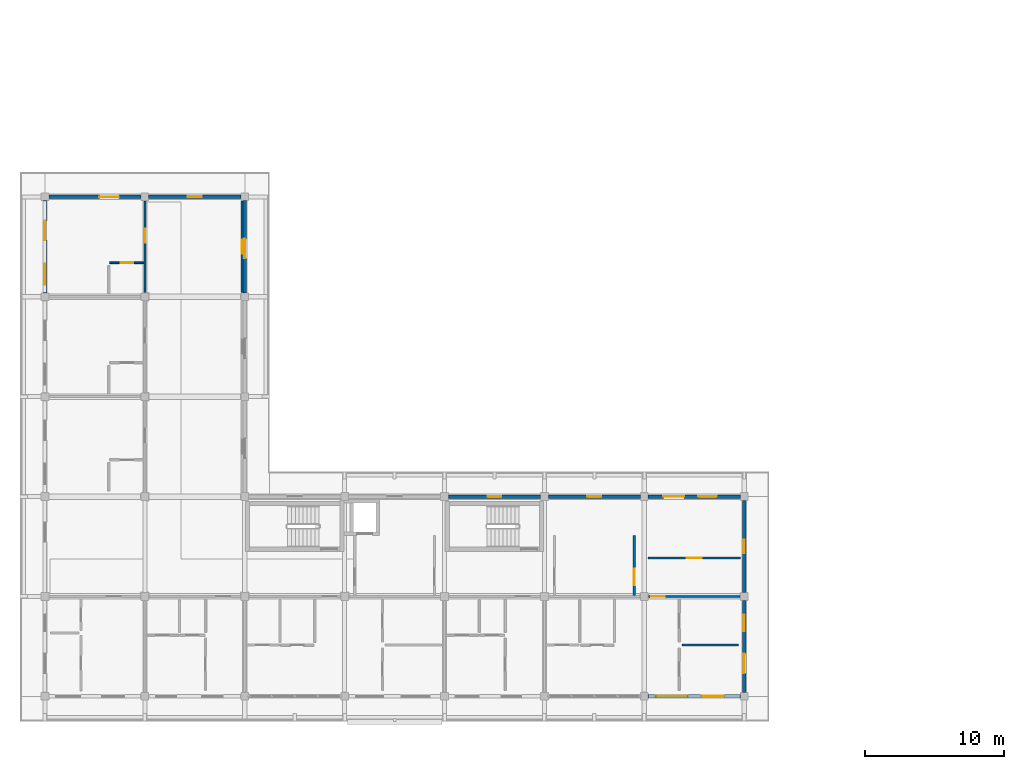
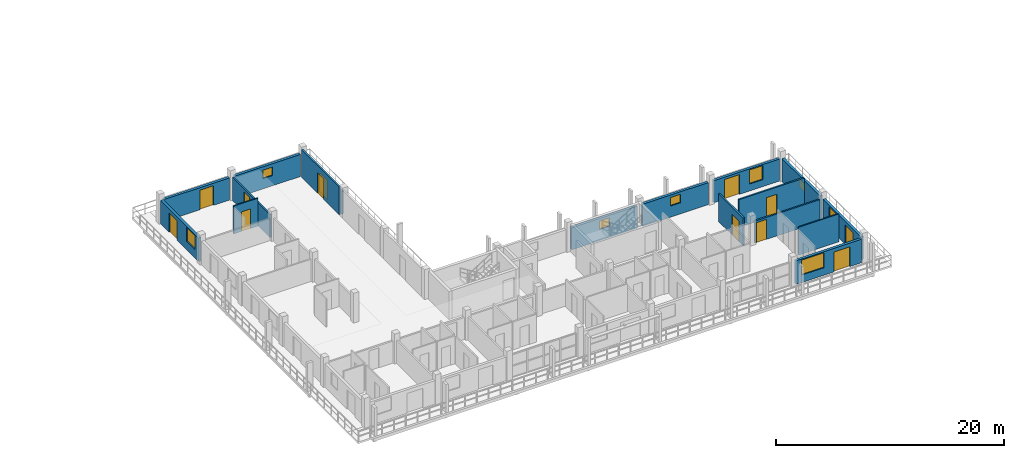
# One storey, part 37 of 73: 17 walls, 12 doors, 8 windows, 20 openings.
"""IFC4 building model written with IfcOpenShell, lengths in metres."""

from ifc_helpers import new_model, si_unit, direction, frame, frame_2d, origin, place, context, subcontext, project, spatial, rectangle, extrude, material, layer, layer_set, type_object, element, fill, save


model = new_model("IFC4")

# Units and contexts
model_context = context("Model", 3, precision=1e-05, world=origin(), true_north=direction((0.0, 1.0)))
body_context = subcontext(model_context, "Body", "Model", "MODEL_VIEW")
ifc_project = project(units=[si_unit("LENGTHUNIT", "METRE"), si_unit("AREAUNIT", "SQUARE_METRE"), si_unit("VOLUMEUNIT", "CUBIC_METRE"), si_unit("PLANEANGLEUNIT", "RADIAN"), si_unit("MASSUNIT", "GRAM", prefix="KILO")], contexts=[model_context])

# Site, building, storey
site_placement = place(None, origin())
site = spatial("IfcSite", under=ifc_project, at=site_placement, CompositionType="ELEMENT")
building_placement = place(site_placement, origin())
building = spatial("IfcBuilding", under=site, at=building_placement, Name="Suanplinth Sawtooth Commons", CompositionType="ELEMENT")
storey_placement = place(building_placement, frame((0.0, 0.0, 21.89990234375)))
storey = spatial("IfcBuildingStorey", under=building, at=storey_placement, Name="L06", CompositionType="ELEMENT", Elevation=21.89990234375)

# Wall, opening, door
ifc_material_1 = material(Name="Precast concrete C40/50", Category="concrete")
ifc_layer_1 = layer(ifc_material_1, 0.260009765625, Name="Insulated precast courtyard facade wall 260mm")
ifc_layer_set_1 = layer_set([ifc_layer_1], Name="Precast concrete C40/50")
wall_type_1 = type_object("IfcWallType", Name="W-EX02", PredefinedType="ELEMENTEDWALL", material=ifc_layer_set_1)
wall_1_placement = place(storey_placement, frame((0.27490234375, 36.0, 0.0), z_axis=(0.0, 0.0, 1.0), x_axis=(1.0, 0.0, 0.0)))
wall_1 = element("IfcWall", 1, at=wall_1_placement, inside=storey, type_object=wall_type_1, Name="Facade Wall W-L06-D-N-0-4", PredefinedType="ELEMENTEDWALL", context=body_context, shape_type="SweptSolid", body=[
    extrude(rectangle(XDim=6.650146484375, YDim=0.260009765625, at=frame_2d((3.3251953125, 0.0))), origin(), (0.0, 0.0, 1.0), 2.364990234375),
])
opening_1_placement = place(wall_1_placement, frame((3.64990234375, 0.0, 0.0)))
opening_1 = element("IfcOpeningElement", 2, at=opening_1_placement, cuts=wall_1, Name="Opening ED0540", PredefinedType="OPENING", context=body_context, shape_type="SweptSolid", body=[
    extrude(rectangle(XDim=1.39990234375, YDim=2.10009765625, at=frame_2d((0.699951171875, 1.050048828125))), frame((0.0, 0.14501953125, 0.0), z_axis=(0.0, -1.0, 0.0), x_axis=(1.0, 0.0, 0.0)), (0.0, 0.0, 1.0), 0.289794921875),
])
ifc_material_2 = material(Name="Anodized aluminium and low-E glass", Category="aluminium")
door_type_1 = type_object("IfcDoorType", Name="SD-07", OperationType="SLIDING_TO_RIGHT", PredefinedType="DOOR", material=ifc_material_2)
door_1_placement = place(opening_1_placement, frame((1.39990234375, 0.0, 0.0), z_axis=(0.0, 0.0, 1.0), x_axis=(-1.0, 0.0, 0.0)))
door_1 = element("IfcDoor", 3, at=door_1_placement, inside=storey, type_object=door_type_1, Name="End Balcony Sliding Door L06-D-N-0-4", OperationType="SLIDING_TO_RIGHT", OverallHeight=2.10009765625, OverallWidth=1.39990234375, PredefinedType="DOOR", context=body_context, shape_type="SweptSolid", body=[
    extrude(rectangle(XDim=1.39990234375, YDim=2.10009765625, at=frame_2d((0.699951171875, 1.050048828125))), frame((0.0, 0.02490234375, 0.0), z_axis=(0.0, -1.0, 0.0), x_axis=(1.0, 0.0, 0.0)), (0.0, 0.0, 1.0), 0.050048828125),
])
fill(opening_1, door_1)

# Wall, openings, door, window
wall_2_placement = place(storey_placement, frame((0.0, 29.074951171875, 0.0), z_axis=(0.0, 0.0, 1.0), x_axis=(0.0, 1.0, 0.0)))
wall_2 = element("IfcWall", 4, at=wall_2_placement, inside=storey, type_object=wall_type_1, Name="Facade Wall W-L06-D-W-0-4", PredefinedType="ELEMENTEDWALL", context=body_context, shape_type="SweptSolid", body=[
    extrude(rectangle(XDim=6.650146484375, YDim=0.260009765625, at=frame_2d((3.3251953125, 0.0))), origin(), (0.0, 0.0, 1.0), 2.51513671875),
])
opening_2_placement = place(wall_2_placement, frame((3.800048828125, 0.0, 0.0)))
opening_2 = element("IfcOpeningElement", 5, at=opening_2_placement, cuts=wall_2, Name="Opening ED0541", PredefinedType="OPENING", context=body_context, shape_type="SweptSolid", body=[
    extrude(rectangle(XDim=1.39990234375, YDim=2.10009765625, at=frame_2d((0.699951171875, 1.050048828125))), frame((0.0, 0.14501953125, 0.0), z_axis=(0.0, -1.0, 0.0), x_axis=(1.0, 0.0, 0.0)), (0.0, 0.0, 1.0), 0.289794921875),
])
opening_3_placement = place(wall_2_placement, frame((0.60009765625, 0.0, 0.905029296875)))
opening_3 = element("IfcOpeningElement", 6, at=opening_3_placement, cuts=wall_2, Name="Opening W0625", PredefinedType="OPENING", context=body_context, shape_type="SweptSolid", body=[
    extrude(rectangle(XDim=1.5, YDim=1.5, at=frame_2d((0.75, 0.75))), frame((0.0, 0.14501953125, 0.0), z_axis=(0.0, -1.0, 0.0), x_axis=(1.0, 0.0, 0.0)), (0.0, 0.0, 1.0), 0.289794921875),
])
door_2_placement = place(opening_2_placement, frame((1.39990234375, 0.0, 0.0), z_axis=(0.0, 0.0, 1.0), x_axis=(-1.0, 0.0, 0.0)))
door_2 = element("IfcDoor", 7, at=door_2_placement, inside=storey, type_object=door_type_1, Name="Wing Balcony Sliding Door L06-D-4", OperationType="SLIDING_TO_RIGHT", OverallHeight=2.10009765625, OverallWidth=1.39990234375, PredefinedType="DOOR", context=body_context, shape_type="SweptSolid", body=[
    extrude(rectangle(XDim=1.39990234375, YDim=2.10009765625, at=frame_2d((0.699951171875, 1.050048828125))), frame((0.0, 0.02490234375, 0.0), z_axis=(0.0, -1.0, 0.0), x_axis=(1.0, 0.0, 0.0)), (0.0, 0.0, 1.0), 0.050048828125),
])
fill(opening_2, door_2)
ifc_material_3 = material(Name="Thermally broken aluminium and low-E double glazing", Category="aluminium")
window_type_1 = type_object("IfcWindowType", Name="WN-02", PartitioningType="DOUBLE_PANEL_VERTICAL", PredefinedType="WINDOW", material=ifc_material_3)
window_1_placement = place(opening_3_placement, origin())
window_1 = element("IfcWindow", 8, at=window_1_placement, inside=storey, type_object=window_type_1, Name="Wing Window L06-D-4", OverallHeight=1.5, OverallWidth=1.5, PartitioningType="DOUBLE_PANEL_VERTICAL", PredefinedType="WINDOW", context=body_context, shape_type="SweptSolid", body=[
    extrude(rectangle(XDim=1.5, YDim=1.5, at=frame_2d((0.75, 0.75))), frame((0.0, 0.030029296875, 0.0), z_axis=(0.0, -1.0, 0.0), x_axis=(1.0, 0.0, 0.0)), (0.0, 0.0, 1.0), 0.06005859375),
])
fill(opening_3, window_1)

# Wall, opening, window
wall_3_placement = place(storey_placement, frame((7.47509765625, 36.0, 0.0), z_axis=(0.0, 0.0, 1.0), x_axis=(1.0, 0.0, 0.0)))
wall_3 = element("IfcWall", 9, at=wall_3_placement, inside=storey, type_object=wall_type_1, Name="Facade Wall W-L06-D-N-1-4", PredefinedType="ELEMENTEDWALL", context=body_context, shape_type="SweptSolid", body=[
    extrude(rectangle(XDim=6.64990234375, YDim=0.260009765625, at=frame_2d((3.324951171875, 0.0))), origin(), (0.0, 0.0, 1.0), 2.364990234375),
])
opening_4_placement = place(wall_3_placement, frame((2.824951171875, 0.0, 1.10009765625)))
opening_4 = element("IfcOpeningElement", 10, at=opening_4_placement, cuts=wall_3, Name="Opening W0627", PredefinedType="OPENING", context=body_context, shape_type="SweptSolid", body=[
    extrude(rectangle(XDim=1.0, YDim=0.89990234375, at=frame_2d((0.5, 0.449951171875))), frame((0.0, 0.14501953125, 0.0), z_axis=(0.0, -1.0, 0.0), x_axis=(1.0, 0.0, 0.0)), (0.0, 0.0, 1.0), 0.289794921875),
])
window_type_2 = type_object("IfcWindowType", Name="WN-12", PartitioningType="SINGLE_PANEL", PredefinedType="WINDOW", material=ifc_material_3)
window_2_placement = place(opening_4_placement, origin())
window_2 = element("IfcWindow", 11, at=window_2_placement, inside=storey, type_object=window_type_2, Name="End Window L06-D-N-1-4", OverallHeight=0.89990234375, OverallWidth=1.0, PartitioningType="SINGLE_PANEL", PredefinedType="WINDOW", context=body_context, shape_type="SweptSolid", body=[
    extrude(rectangle(XDim=1.0, YDim=0.89990234375, at=frame_2d((0.5, 0.449951171875))), frame((0.0, 0.030029296875, 0.0), z_axis=(0.0, -1.0, 0.0), x_axis=(1.0, 0.0, 0.0)), (0.0, 0.0, 1.0), 0.06005859375),
])
fill(opening_4, window_2)

# Wall, opening, door
wall_4_placement = place(storey_placement, frame((14.39990234375, 29.074951171875, 0.0), z_axis=(0.0, 0.0, 1.0), x_axis=(0.0, 1.0, 0.0)))
wall_4 = element("IfcWall", 12, at=wall_4_placement, inside=storey, type_object=wall_type_1, Name="Facade Wall W-L06-D-E-1-4", PredefinedType="ELEMENTEDWALL", context=body_context, shape_type="SweptSolid", body=[
    extrude(rectangle(XDim=6.650146484375, YDim=0.260009765625, at=frame_2d((3.3251953125, 0.0))), origin(), (0.0, 0.0, 1.0), 2.465087890625),
])
opening_5_placement = place(wall_4_placement, frame((2.5, 0.0, 0.0)))
opening_5 = element("IfcOpeningElement", 13, at=opening_5_placement, cuts=wall_4, Name="Opening ED0545", PredefinedType="OPENING", context=body_context, shape_type="SweptSolid", body=[
    extrude(rectangle(XDim=1.39990234375, YDim=2.10009765625, at=frame_2d((0.699951171875, 1.050048828125))), frame((0.0, 0.14501953125, 0.0), z_axis=(0.0, -1.0, 0.0), x_axis=(1.0, 0.0, 0.0)), (0.0, 0.0, 1.0), 0.289794921875),
])
door_3_placement = place(opening_5_placement, frame((1.39990234375, 0.0, 0.0), z_axis=(0.0, 0.0, 1.0), x_axis=(-1.0, 0.0, 0.0)))
door_3 = element("IfcDoor", 14, at=door_3_placement, inside=storey, type_object=door_type_1, Name="Courtyard Veranda Studio Balcony Door L06-D-4", OperationType="SLIDING_TO_RIGHT", OverallHeight=2.10009765625, OverallWidth=1.39990234375, PredefinedType="DOOR", context=body_context, shape_type="SweptSolid", body=[
    extrude(rectangle(XDim=1.39990234375, YDim=2.10009765625, at=frame_2d((0.699951171875, 1.050048828125))), frame((0.0, 0.02490234375, 0.0), z_axis=(0.0, -1.0, 0.0), x_axis=(1.0, 0.0, 0.0)), (0.0, 0.0, 1.0), 0.050048828125),
])
fill(opening_5, door_3)

# Wall, opening, window
wall_5_placement = place(storey_placement, frame((29.074951171875, 14.39990234375, 0.0), z_axis=(0.0, 0.0, 1.0), x_axis=(1.0, 0.0, 0.0)))
wall_5 = element("IfcWall", 15, at=wall_5_placement, inside=storey, type_object=wall_type_1, Name="Facade Wall W-L06-D-N-4-1", PredefinedType="ELEMENTEDWALL", context=body_context, shape_type="SweptSolid", body=[
    extrude(rectangle(XDim=6.650146484375, YDim=0.260009765625, at=frame_2d((3.3251953125, 0.0))), origin(), (0.0, 0.0, 1.0), 2.364990234375),
])
opening_6_placement = place(wall_5_placement, frame((2.824951171875, 0.0, 1.199951171875)))
opening_6 = element("IfcOpeningElement", 16, at=opening_6_placement, cuts=wall_5, Name="Opening W0632", PredefinedType="OPENING", context=body_context, shape_type="SweptSolid", body=[
    extrude(rectangle(XDim=1.0, YDim=0.89990234375, at=frame_2d((0.5, 0.449951171875))), frame((0.0, 0.14501953125, 0.0), z_axis=(0.0, -1.0, 0.0), x_axis=(1.0, 0.0, 0.0)), (0.0, 0.0, 1.0), 0.289794921875),
])
window_3_placement = place(opening_6_placement, origin())
window_3 = element("IfcWindow", 17, at=window_3_placement, inside=storey, type_object=window_type_2, Name="Core Daylight Window L06-D-4-1", OverallHeight=0.89990234375, OverallWidth=1.0, PartitioningType="SINGLE_PANEL", PredefinedType="WINDOW", context=body_context, shape_type="SweptSolid", body=[
    extrude(rectangle(XDim=1.0, YDim=0.89990234375, at=frame_2d((0.5, 0.449951171875))), frame((0.0, 0.030029296875, 0.0), z_axis=(0.0, -1.0, 0.0), x_axis=(1.0, 0.0, 0.0)), (0.0, 0.0, 1.0), 0.06005859375),
])
fill(opening_6, window_3)

wall_6_placement = place(storey_placement, frame((36.27490234375, 14.39990234375, 0.0), z_axis=(0.0, 0.0, 1.0), x_axis=(1.0, 0.0, 0.0)))
wall_6 = element("IfcWall", 18, at=wall_6_placement, inside=storey, type_object=wall_type_1, Name="Facade Wall W-L06-D-N-5-1", PredefinedType="ELEMENTEDWALL", context=body_context, shape_type="SweptSolid", body=[
    extrude(rectangle(XDim=6.650146484375, YDim=0.260009765625, at=frame_2d((3.3251953125, 0.0))), origin(), (0.0, 0.0, 1.0), 2.364990234375),
])
opening_7_placement = place(wall_6_placement, frame((2.824951171875, 0.0, 1.199951171875)))
opening_7 = element("IfcOpeningElement", 19, at=opening_7_placement, cuts=wall_6, Name="Opening W0633", PredefinedType="OPENING", context=body_context, shape_type="SweptSolid", body=[
    extrude(rectangle(XDim=1.0, YDim=0.89990234375, at=frame_2d((0.5, 0.449951171875))), frame((0.0, 0.14501953125, 0.0), z_axis=(0.0, -1.0, 0.0), x_axis=(1.0, 0.0, 0.0)), (0.0, 0.0, 1.0), 0.289794921875),
])
window_4_placement = place(opening_7_placement, origin())
window_4 = element("IfcWindow", 20, at=window_4_placement, inside=storey, type_object=window_type_2, Name="Core Daylight Window L06-D-5-1", OverallHeight=0.89990234375, OverallWidth=1.0, PartitioningType="SINGLE_PANEL", PredefinedType="WINDOW", context=body_context, shape_type="SweptSolid", body=[
    extrude(rectangle(XDim=1.0, YDim=0.89990234375, at=frame_2d((0.5, 0.449951171875))), frame((0.0, 0.030029296875, 0.0), z_axis=(0.0, -1.0, 0.0), x_axis=(1.0, 0.0, 0.0)), (0.0, 0.0, 1.0), 0.06005859375),
])
fill(opening_7, window_4)

# Wall, openings, door, window
wall_7_placement = place(storey_placement, frame((43.47509765625, 0.0, 0.0), z_axis=(0.0, 0.0, 1.0), x_axis=(1.0, 0.0, 0.0)))
wall_7 = element("IfcWall", 21, at=wall_7_placement, inside=storey, type_object=wall_type_1, Name="Facade Wall W-L06-D-S-6-0", PredefinedType="ELEMENTEDWALL", context=body_context, shape_type="SweptSolid", body=[
    extrude(rectangle(XDim=6.64990234375, YDim=0.260009765625, at=frame_2d((3.324951171875, 0.0))), origin(), (0.0, 0.0, 1.0), 2.51513671875),
])
opening_8_placement = place(wall_7_placement, frame((3.85009765625, 0.0, 0.0)))
opening_8 = element("IfcOpeningElement", 22, at=opening_8_placement, cuts=wall_7, Name="Opening ED0548", PredefinedType="OPENING", context=body_context, shape_type="SweptSolid", body=[
    extrude(rectangle(XDim=1.60009765625, YDim=2.1201171875, at=frame_2d((0.800048828125, 1.06005859375))), frame((0.0, 0.14501953125, 0.0), z_axis=(0.0, -1.0, 0.0), x_axis=(1.0, 0.0, 0.0)), (0.0, 0.0, 1.0), 0.289794921875),
])
opening_9_placement = place(wall_7_placement, frame((0.550048828125, 0.0, 0.804931640625)))
opening_9 = element("IfcOpeningElement", 23, at=opening_9_placement, cuts=wall_7, Name="Opening W0634", PredefinedType="OPENING", context=body_context, shape_type="SweptSolid", body=[
    extrude(rectangle(XDim=2.300048828125, YDim=1.60009765625, at=frame_2d((1.14990234375, 0.800048828125))), frame((0.0, 0.14501953125, 0.0), z_axis=(0.0, -1.0, 0.0), x_axis=(1.0, 0.0, 0.0)), (0.0, 0.0, 1.0), 0.289794921875),
])
door_type_2 = type_object("IfcDoorType", Name="SD-02", OperationType="SLIDING_TO_RIGHT", PredefinedType="DOOR", material=ifc_material_2)
door_4_placement = place(opening_8_placement, frame((1.60009765625, 0.0, 0.0), z_axis=(0.0, 0.0, 1.0), x_axis=(-1.0, 0.0, 0.0)))
door_4 = element("IfcDoor", 24, at=door_4_placement, inside=storey, type_object=door_type_2, Name="Balcony Sliding Door L06-D-6", OperationType="SLIDING_TO_RIGHT", OverallHeight=2.1201171875, OverallWidth=1.60009765625, PredefinedType="DOOR", context=body_context, shape_type="SweptSolid", body=[
    extrude(rectangle(XDim=1.60009765625, YDim=2.1201171875, at=frame_2d((0.800048828125, 1.06005859375))), frame((0.0, 0.02490234375, 0.0), z_axis=(0.0, -1.0, 0.0), x_axis=(1.0, 0.0, 0.0)), (0.0, 0.0, 1.0), 0.050048828125),
])
fill(opening_8, door_4)
window_type_3 = type_object("IfcWindowType", Name="WN-21", PartitioningType="TRIPLE_PANEL_VERTICAL", PredefinedType="WINDOW", material=ifc_material_3)
window_5_placement = place(opening_9_placement, origin())
window_5 = element("IfcWindow", 25, at=window_5_placement, inside=storey, type_object=window_type_3, Name="Apartment Window L06-D-6", OverallHeight=1.60009765625, OverallWidth=2.300048828125, PartitioningType="TRIPLE_PANEL_VERTICAL", PredefinedType="WINDOW", context=body_context, shape_type="SweptSolid", body=[
    extrude(rectangle(XDim=2.300048828125, YDim=1.60009765625, at=frame_2d((1.14990234375, 0.800048828125))), frame((0.0, 0.030029296875, 0.0), z_axis=(0.0, -1.0, 0.0), x_axis=(1.0, 0.0, 0.0)), (0.0, 0.0, 1.0), 0.06005859375),
])
fill(opening_9, window_5)

wall_8_placement = place(storey_placement, frame((50.39990234375, 0.27490234375, 0.0), z_axis=(0.0, 0.0, 1.0), x_axis=(0.0, 1.0, 0.0)))
wall_8 = element("IfcWall", 26, at=wall_8_placement, inside=storey, type_object=wall_type_1, Name="Facade Wall W-L06-D-E-6-0", PredefinedType="ELEMENTEDWALL", context=body_context, shape_type="SweptSolid", body=[
    extrude(rectangle(XDim=6.650146484375, YDim=0.260009765625, at=frame_2d((3.3251953125, 0.0))), origin(), (0.0, 0.0, 1.0), 2.465087890625),
])
opening_10_placement = place(wall_8_placement, frame((1.39990234375, 0.0, 0.0)))
opening_10 = element("IfcOpeningElement", 27, at=opening_10_placement, cuts=wall_8, Name="Opening ED0549", PredefinedType="OPENING", context=body_context, shape_type="SweptSolid", body=[
    extrude(rectangle(XDim=1.39990234375, YDim=2.10009765625, at=frame_2d((0.699951171875, 1.050048828125))), frame((0.0, 0.14501953125, 0.0), z_axis=(0.0, -1.0, 0.0), x_axis=(1.0, 0.0, 0.0)), (0.0, 0.0, 1.0), 0.289794921875),
])
opening_11_placement = place(wall_8_placement, frame((4.39990234375, 0.0, 0.949951171875)))
opening_11 = element("IfcOpeningElement", 28, at=opening_11_placement, cuts=wall_8, Name="Opening W0635", PredefinedType="OPENING", context=body_context, shape_type="SweptSolid", body=[
    extrude(rectangle(XDim=1.199951171875, YDim=1.35009765625, at=frame_2d((0.60009765625, 0.675048828125))), frame((0.0, 0.14501953125, 0.0), z_axis=(0.0, -1.0, 0.0), x_axis=(1.0, 0.0, 0.0)), (0.0, 0.0, 1.0), 0.289794921875),
])
door_5_placement = place(opening_10_placement, frame((1.39990234375, 0.0, 0.0), z_axis=(0.0, 0.0, 1.0), x_axis=(-1.0, 0.0, 0.0)))
door_5 = element("IfcDoor", 29, at=door_5_placement, inside=storey, type_object=door_type_1, Name="End Balcony Sliding Door L06-D-E-6-0", OperationType="SLIDING_TO_RIGHT", OverallHeight=2.10009765625, OverallWidth=1.39990234375, PredefinedType="DOOR", context=body_context, shape_type="SweptSolid", body=[
    extrude(rectangle(XDim=1.39990234375, YDim=2.10009765625, at=frame_2d((0.699951171875, 1.050048828125))), frame((0.0, 0.02490234375, 0.0), z_axis=(0.0, -1.0, 0.0), x_axis=(1.0, 0.0, 0.0)), (0.0, 0.0, 1.0), 0.050048828125),
])
fill(opening_10, door_5)
window_type_4 = type_object("IfcWindowType", Name="WN-03", PartitioningType="SINGLE_PANEL", PredefinedType="WINDOW", material=ifc_material_3)
window_6_placement = place(opening_11_placement, origin())
window_6 = element("IfcWindow", 30, at=window_6_placement, inside=storey, type_object=window_type_4, Name="End Bedroom Window L06-D-6-0", OverallHeight=1.35009765625, OverallWidth=1.199951171875, PartitioningType="SINGLE_PANEL", PredefinedType="WINDOW", context=body_context, shape_type="SweptSolid", body=[
    extrude(rectangle(XDim=1.199951171875, YDim=1.35009765625, at=frame_2d((0.60009765625, 0.675048828125))), frame((0.0, 0.030029296875, 0.0), z_axis=(0.0, -1.0, 0.0), x_axis=(1.0, 0.0, 0.0)), (0.0, 0.0, 1.0), 0.06005859375),
])
fill(opening_11, window_6)

wall_9_placement = place(storey_placement, frame((43.47509765625, 14.39990234375, 0.0), z_axis=(0.0, 0.0, 1.0), x_axis=(1.0, 0.0, 0.0)))
wall_9 = element("IfcWall", 31, at=wall_9_placement, inside=storey, type_object=wall_type_1, Name="Facade Wall W-L06-D-N-6-1", PredefinedType="ELEMENTEDWALL", context=body_context, shape_type="SweptSolid", body=[
    extrude(rectangle(XDim=6.64990234375, YDim=0.260009765625, at=frame_2d((3.324951171875, 0.0))), origin(), (0.0, 0.0, 1.0), 2.364990234375),
])
opening_12_placement = place(wall_9_placement, frame((1.10009765625, 0.0, 0.0)))
opening_12 = element("IfcOpeningElement", 32, at=opening_12_placement, cuts=wall_9, Name="Opening ED0550", PredefinedType="OPENING", context=body_context, shape_type="SweptSolid", body=[
    extrude(rectangle(XDim=1.5, YDim=2.1201171875, at=frame_2d((0.75, 1.06005859375))), frame((0.0, 0.14501953125, 0.0), z_axis=(0.0, -1.0, 0.0), x_axis=(1.0, 0.0, 0.0)), (0.0, 0.0, 1.0), 0.289794921875),
])
opening_13_placement = place(wall_9_placement, frame((3.60009765625, 0.0, 0.7548828125)))
opening_13 = element("IfcOpeningElement", 33, at=opening_13_placement, cuts=wall_9, Name="Opening W0636", PredefinedType="OPENING", context=body_context, shape_type="SweptSolid", body=[
    extrude(rectangle(XDim=1.35009765625, YDim=1.5, at=frame_2d((0.675048828125, 0.75))), frame((0.0, 0.14501953125, 0.0), z_axis=(0.0, -1.0, 0.0), x_axis=(1.0, 0.0, 0.0)), (0.0, 0.0, 1.0), 0.289794921875),
])
door_type_3 = type_object("IfcDoorType", Name="SD-03", OperationType="SLIDING_TO_LEFT", PredefinedType="DOOR", material=ifc_material_2)
door_6_placement = place(opening_12_placement, frame((1.5, 0.0, 0.0), z_axis=(0.0, 0.0, 1.0), x_axis=(-1.0, 0.0, 0.0)))
door_6 = element("IfcDoor", 34, at=door_6_placement, inside=storey, type_object=door_type_3, Name="Courtyard Balcony Door L06-D-6", OperationType="SLIDING_TO_LEFT", OverallHeight=2.1201171875, OverallWidth=1.5, PredefinedType="DOOR", context=body_context, shape_type="SweptSolid", body=[
    extrude(rectangle(XDim=1.5, YDim=2.1201171875, at=frame_2d((0.75, 1.06005859375))), frame((0.0, 0.02490234375, 0.0), z_axis=(0.0, -1.0, 0.0), x_axis=(1.0, 0.0, 0.0)), (0.0, 0.0, 1.0), 0.050048828125),
])
fill(opening_12, door_6)
window_type_5 = type_object("IfcWindowType", Name="WN-14", PartitioningType="SINGLE_PANEL", PredefinedType="WINDOW", material=ifc_material_3)
window_7_placement = place(opening_13_placement, origin())
window_7 = element("IfcWindow", 35, at=window_7_placement, inside=storey, type_object=window_type_5, Name="Courtyard Window L06-D-6", OverallHeight=1.5, OverallWidth=1.35009765625, PartitioningType="SINGLE_PANEL", PredefinedType="WINDOW", context=body_context, shape_type="SweptSolid", body=[
    extrude(rectangle(XDim=1.35009765625, YDim=1.5, at=frame_2d((0.675048828125, 0.75))), frame((0.0, 0.030029296875, 0.0), z_axis=(0.0, -1.0, 0.0), x_axis=(1.0, 0.0, 0.0)), (0.0, 0.0, 1.0), 0.06005859375),
])
fill(opening_13, window_7)

# Wall, opening, window
wall_10_placement = place(storey_placement, frame((50.39990234375, 7.47509765625, 0.0), z_axis=(0.0, 0.0, 1.0), x_axis=(0.0, 1.0, 0.0)))
wall_10 = element("IfcWall", 36, at=wall_10_placement, inside=storey, type_object=wall_type_1, Name="Facade Wall W-L06-D-E-6-1", PredefinedType="ELEMENTEDWALL", context=body_context, shape_type="SweptSolid", body=[
    extrude(rectangle(XDim=6.64990234375, YDim=0.260009765625, at=frame_2d((3.324951171875, 0.0))), origin(), (0.0, 0.0, 1.0), 2.465087890625),
])
opening_14_placement = place(wall_10_placement, frame((2.824951171875, 0.0, 1.10009765625)))
opening_14 = element("IfcOpeningElement", 37, at=opening_14_placement, cuts=wall_10, Name="Opening W0637", PredefinedType="OPENING", context=body_context, shape_type="SweptSolid", body=[
    extrude(rectangle(XDim=1.0, YDim=0.89990234375, at=frame_2d((0.5, 0.449951171875))), frame((0.0, 0.14501953125, 0.0), z_axis=(0.0, -1.0, 0.0), x_axis=(1.0, 0.0, 0.0)), (0.0, 0.0, 1.0), 0.289794921875),
])
window_8_placement = place(opening_14_placement, origin())
window_8 = element("IfcWindow", 38, at=window_8_placement, inside=storey, type_object=window_type_2, Name="End Window L06-D-E-6-1", OverallHeight=0.89990234375, OverallWidth=1.0, PartitioningType="SINGLE_PANEL", PredefinedType="WINDOW", context=body_context, shape_type="SweptSolid", body=[
    extrude(rectangle(XDim=1.0, YDim=0.89990234375, at=frame_2d((0.5, 0.449951171875))), frame((0.0, 0.030029296875, 0.0), z_axis=(0.0, -1.0, 0.0), x_axis=(1.0, 0.0, 0.0)), (0.0, 0.0, 1.0), 0.06005859375),
])
fill(opening_14, window_8)

# Wall, opening, door
ifc_layer_2 = layer(ifc_material_1, 0.159912109375, Name="Fire-rated corridor and lobby wall 160mm")
ifc_layer_set_2 = layer_set([ifc_layer_2], Name="Precast concrete C40/50")
wall_type_2 = type_object("IfcWallType", Name="W-FW01", PredefinedType="PARTITIONING", material=ifc_layer_set_2)
wall_11_placement = place(storey_placement, frame((42.47998046875, 7.280029296875, 0.0), z_axis=(0.0, 0.0, 1.0), x_axis=(0.0, 1.0, 0.0)))
wall_11 = element("IfcWall", 39, at=wall_11_placement, inside=storey, type_object=wall_type_2, Name="W-L06-C-D2-LOB-E", PredefinedType="PARTITIONING", context=body_context, shape_type="SweptSolid", body=[
    extrude(rectangle(XDim=4.320068359375, YDim=0.159912109375, at=frame_2d((2.16015625, 0.0))), origin(), (0.0, 0.0, 1.0), 2.97998046875),
])
opening_15_placement = place(wall_11_placement, frame((0.719970703125, 0.0, 0.0)))
opening_15 = element("IfcOpeningElement", 40, at=opening_15_placement, cuts=wall_11, Name="Opening FD0420", PredefinedType="OPENING", context=body_context, shape_type="SweptSolid", body=[
    extrude(rectangle(XDim=1.199951171875, YDim=2.199951171875, at=frame_2d((0.60009765625, 1.10009765625))), frame((0.0, 0.0947265625, 0.0), z_axis=(0.0, -1.0, 0.0), x_axis=(1.0, 0.0, 0.0)), (0.0, 0.0, 1.0), 0.189697265625),
])
ifc_material_4 = material(Name="Teak hardwood fire-rated door assembly", Category="wood")
door_type_4 = type_object("IfcDoorType", Name="FD-02", OperationType="NOTDEFINED", PredefinedType="DOOR", material=ifc_material_4)
door_7_placement = place(opening_15_placement, frame((1.199951171875, 0.0, 0.0), z_axis=(0.0, 0.0, 1.0), x_axis=(-1.0, 0.0, 0.0)))
door_7 = element("IfcDoor", 41, at=door_7_placement, inside=storey, type_object=door_type_4, Name="Lobby Fire Door FD0420", OperationType="SINGLE_SWING_LEFT", OverallHeight=2.199951171875, OverallWidth=1.199951171875, PredefinedType="DOOR", context=body_context, shape_type="SweptSolid", body=[
    extrude(rectangle(XDim=1.199951171875, YDim=2.199951171875, at=frame_2d((0.60009765625, 1.10009765625))), frame((0.0, 0.02490234375, 0.0), z_axis=(0.0, -1.0, 0.0), x_axis=(1.0, 0.0, 0.0)), (0.0, 0.0, 1.0), 0.050048828125),
])
fill(opening_15, door_7)

wall_12_placement = place(storey_placement, frame((43.5048828125, 7.199951171875, 0.0), z_axis=(0.0, 0.0, 1.0), x_axis=(1.0, 0.0, 0.0)))
wall_12 = element("IfcWall", 42, at=wall_12_placement, inside=storey, type_object=wall_type_2, Name="W-D-L06-U05-COR-S2", PredefinedType="PARTITIONING", context=body_context, shape_type="SweptSolid", body=[
    extrude(rectangle(XDim=6.590087890625, YDim=0.159912109375, at=frame_2d((3.294921875, 0.0))), origin(), (0.0, 0.0, 1.0), 2.364990234375),
])
opening_16_placement = place(wall_12_placement, frame((0.179931640625, 0.0, 0.0)))
opening_16 = element("IfcOpeningElement", 43, at=opening_16_placement, cuts=wall_12, Name="Opening FD1486", PredefinedType="OPENING", context=body_context, shape_type="SweptSolid", body=[
    extrude(rectangle(XDim=1.0, YDim=2.14990234375, at=frame_2d((0.5, 1.074951171875))), frame((0.0, 0.0947265625, 0.0), z_axis=(0.0, -1.0, 0.0), x_axis=(1.0, 0.0, 0.0)), (0.0, 0.0, 1.0), 0.189697265625),
])
door_type_5 = type_object("IfcDoorType", Name="FD-03", OperationType="NOTDEFINED", PredefinedType="DOOR", material=ifc_material_4)
door_8_placement = place(opening_16_placement, frame((1.0, 0.0, 0.0), z_axis=(0.0, 0.0, 1.0), x_axis=(-1.0, 0.0, 0.0)))
door_8 = element("IfcDoor", 44, at=door_8_placement, inside=storey, type_object=door_type_5, Name="Unit Entrance Door FD1486", OperationType="SINGLE_SWING_RIGHT", OverallHeight=2.14990234375, OverallWidth=1.0, PredefinedType="DOOR", context=body_context, shape_type="SweptSolid", body=[
    extrude(rectangle(XDim=1.0, YDim=2.14990234375, at=frame_2d((0.5, 1.074951171875))), frame((0.0, 0.02490234375, 0.0), z_axis=(0.0, -1.0, 0.0), x_axis=(1.0, 0.0, 0.0)), (0.0, 0.0, 1.0), 0.050048828125),
])
fill(opening_16, door_8)

wall_13_placement = place(storey_placement, frame((43.47998046875, 9.97998046875, 0.0), z_axis=(0.0, 0.0, 1.0), x_axis=(1.0, 0.0, 0.0)))
wall_13 = element("IfcWall", 45, at=wall_13_placement, inside=storey, type_object=wall_type_2, Name="W-D-L06-COURTROOM-53-COR", PredefinedType="PARTITIONING", context=body_context, shape_type="SweptSolid", body=[
    extrude(rectangle(XDim=6.64013671875, YDim=0.159912109375, at=frame_2d((3.320068359375, 0.0))), origin(), (0.0, 0.0, 1.0), 2.97998046875),
])
opening_17_placement = place(wall_13_placement, frame((2.780029296875, 0.0, 0.0)))
opening_17 = element("IfcOpeningElement", 46, at=opening_17_placement, cuts=wall_13, Name="Opening D1491", PredefinedType="OPENING", context=body_context, shape_type="SweptSolid", body=[
    extrude(rectangle(XDim=1.080078125, YDim=2.219970703125, at=frame_2d((0.5400390625, 1.10986328125))), frame((0.0, 0.0947265625, 0.0), z_axis=(0.0, -1.0, 0.0), x_axis=(1.0, 0.0, 0.0)), (0.0, 0.0, 1.0), 0.189697265625),
])
ifc_material_5 = material(Name="Teak hardwood", Category="wood")
door_type_6 = type_object("IfcDoorType", Name="D-17", OperationType="NOTDEFINED", PredefinedType="DOOR", material=ifc_material_5)
door_9_placement = place(opening_17_placement, origin())
door_9 = element("IfcDoor", 47, at=door_9_placement, inside=storey, type_object=door_type_6, Name="Study Studio Door D1491", OperationType="SINGLE_SWING_LEFT", OverallHeight=2.219970703125, OverallWidth=1.080078125, PredefinedType="DOOR", context=body_context, shape_type="SweptSolid", body=[
    extrude(rectangle(XDim=1.080078125, YDim=2.219970703125, at=frame_2d((0.5400390625, 1.10986328125))), frame((0.0, 0.02490234375, 0.0), z_axis=(0.0, -1.0, 0.0), x_axis=(1.0, 0.0, 0.0)), (0.0, 0.0, 1.0), 0.050048828125),
])
fill(opening_17, door_9)

wall_14_placement = place(storey_placement, frame((7.199951171875, 29.10498046875, 0.0), z_axis=(0.0, 0.0, 1.0), x_axis=(0.0, 1.0, 0.0)))
wall_14 = element("IfcWall", 48, at=wall_14_placement, inside=storey, type_object=wall_type_2, Name="W-D-L06-L03-COR", PredefinedType="PARTITIONING", context=body_context, shape_type="SweptSolid", body=[
    extrude(rectangle(XDim=6.590087890625, YDim=0.159912109375, at=frame_2d((3.294921875, 0.0))), origin(), (0.0, 0.0, 1.0), 2.465087890625),
])
opening_18_placement = place(wall_14_placement, frame((3.594970703125, 0.0, 0.0)))
opening_18 = element("IfcOpeningElement", 49, at=opening_18_placement, cuts=wall_14, Name="Opening FD1498", PredefinedType="OPENING", context=body_context, shape_type="SweptSolid", body=[
    extrude(rectangle(XDim=1.0, YDim=2.14990234375, at=frame_2d((0.5, 1.074951171875))), frame((0.0, 0.0947265625, 0.0), z_axis=(0.0, -1.0, 0.0), x_axis=(1.0, 0.0, 0.0)), (0.0, 0.0, 1.0), 0.189697265625),
])
door_10_placement = place(opening_18_placement, origin())
door_10 = element("IfcDoor", 50, at=door_10_placement, inside=storey, type_object=door_type_5, Name="Wing Unit Entrance Door FD1498", OperationType="SINGLE_SWING_RIGHT", OverallHeight=2.14990234375, OverallWidth=1.0, PredefinedType="DOOR", context=body_context, shape_type="SweptSolid", body=[
    extrude(rectangle(XDim=1.0, YDim=2.14990234375, at=frame_2d((0.5, 1.074951171875))), frame((0.0, 0.02490234375, 0.0), z_axis=(0.0, -1.0, 0.0), x_axis=(1.0, 0.0, 0.0)), (0.0, 0.0, 1.0), 0.050048828125),
])
fill(opening_18, door_10)

wall_15_placement = place(storey_placement, frame((14.199951171875, 29.10498046875, 0.0), z_axis=(0.0, 0.0, 1.0), x_axis=(0.0, 1.0, 0.0)))
wall_15 = element("IfcWall", 51, at=wall_15_placement, inside=storey, type_object=wall_type_2, Name="W-D-L06-LEGCOURTROOM-59-COR", PredefinedType="PARTITIONING", context=body_context, shape_type="SweptSolid", body=[
    extrude(rectangle(XDim=6.590087890625, YDim=0.159912109375, at=frame_2d((3.294921875, 0.0))), origin(), (0.0, 0.0, 1.0), 2.97998046875),
])
opening_19_placement = place(wall_15_placement, frame((2.784912109375, 0.0, 0.0)))
opening_19 = element("IfcOpeningElement", 52, at=opening_19_placement, cuts=wall_15, Name="Opening D1500", PredefinedType="OPENING", context=body_context, shape_type="SweptSolid", body=[
    extrude(rectangle(XDim=1.02001953125, YDim=2.179931640625, at=frame_2d((0.510009765625, 1.08984375))), frame((0.0, 0.0947265625, 0.0), z_axis=(0.0, -1.0, 0.0), x_axis=(1.0, 0.0, 0.0)), (0.0, 0.0, 1.0), 0.189697265625),
])
door_type_7 = type_object("IfcDoorType", Name="D-16", OperationType="NOTDEFINED", PredefinedType="DOOR", material=ifc_material_5)
door_11_placement = place(opening_19_placement, frame((1.02001953125, 0.0, 0.0), z_axis=(0.0, 0.0, 1.0), x_axis=(-1.0, 0.0, 0.0)))
door_11 = element("IfcDoor", 53, at=door_11_placement, inside=storey, type_object=door_type_7, Name="Veranda Studio Door D1500", OperationType="SINGLE_SWING_RIGHT", OverallHeight=2.179931640625, OverallWidth=1.02001953125, PredefinedType="DOOR", context=body_context, shape_type="SweptSolid", body=[
    extrude(rectangle(XDim=1.02001953125, YDim=2.179931640625, at=frame_2d((0.510009765625, 1.08984375))), frame((0.0, 0.02490234375, 0.0), z_axis=(0.0, -1.0, 0.0), x_axis=(1.0, 0.0, 0.0)), (0.0, 0.0, 1.0), 0.050048828125),
])
fill(opening_19, door_11)

ifc_material_6 = material(Name="Gypsum plasterboard on steel stud", Category="steel")
ifc_layer_3 = layer(ifc_material_6, 0.1298828125, Name="Moisture-resistant bathroom partition 130mm")
ifc_layer_set_3 = layer_set([ifc_layer_3], Name="Gypsum plasterboard on steel stud")
wall_type_3 = type_object("IfcWallType", Name="W-PT02", PredefinedType="PARTITIONING", material=ifc_layer_set_3)
wall_16_placement = place(storey_placement, frame((4.669921875, 31.2451171875, 0.0), z_axis=(0.0, 0.0, 1.0), x_axis=(1.0, 0.0, 0.0)))
wall_16 = element("IfcWall", 54, at=wall_16_placement, inside=storey, type_object=wall_type_3, Name="W-D-L06-L03-BTH1", PredefinedType="PARTITIONING", context=body_context, shape_type="SweptSolid", body=[
    extrude(rectangle(XDim=2.4501953125, YDim=0.1298828125, at=frame_2d((1.22509765625, 0.0))), origin(), (0.0, 0.0, 1.0), 2.97998046875),
])
opening_20_placement = place(wall_16_placement, frame((0.77490234375, 0.0, 0.0)))
opening_20 = element("IfcOpeningElement", 55, at=opening_20_placement, cuts=wall_16, Name="Opening D1499", PredefinedType="OPENING", context=body_context, shape_type="SweptSolid", body=[
    extrude(rectangle(XDim=0.89990234375, YDim=2.10009765625, at=frame_2d((0.449951171875, 1.050048828125))), frame((0.0, 0.079833984375, 0.0), z_axis=(0.0, -1.0, 0.0), x_axis=(1.0, 0.0, 0.0)), (0.0, 0.0, 1.0), 0.15966796875),
])
door_type_8 = type_object("IfcDoorType", Name="D-01", OperationType="NOTDEFINED", PredefinedType="DOOR", material=ifc_material_5)
door_12_placement = place(opening_20_placement, frame((0.89990234375, 0.0, 0.0), z_axis=(0.0, 0.0, 1.0), x_axis=(-1.0, 0.0, 0.0)))
door_12 = element("IfcDoor", 56, at=door_12_placement, inside=storey, type_object=door_type_8, Name="Bathroom Door D1499", OperationType="SINGLE_SWING_LEFT", OverallHeight=2.10009765625, OverallWidth=0.89990234375, PredefinedType="DOOR", context=body_context, shape_type="SweptSolid", body=[
    extrude(rectangle(XDim=0.89990234375, YDim=2.10009765625, at=frame_2d((0.449951171875, 1.050048828125))), frame((0.0, 0.02490234375, 0.0), z_axis=(0.0, -1.0, 0.0), x_axis=(1.0, 0.0, 0.0)), (0.0, 0.0, 1.0), 0.050048828125),
])
fill(opening_20, door_12)

# Wall
ifc_layer_4 = layer(ifc_material_6, 0.125, Name="Acoustic study partition 125mm")
ifc_layer_set_4 = layer_set([ifc_layer_4], Name="Gypsum plasterboard on steel stud")
wall_type_4 = type_object("IfcWallType", Name="W-PT06", PredefinedType="PARTITIONING", material=ifc_layer_set_4)
wall_17_placement = place(storey_placement, frame((45.919921875, 3.699951171875, 0.0), z_axis=(0.0, 0.0, 1.0), x_axis=(1.0, 0.0, 0.0)))
element("IfcWall", 57, at=wall_17_placement, inside=storey, type_object=wall_type_4, Name="W-D-L06-U05-BEDDIV", PredefinedType="PARTITIONING", context=body_context, shape_type="SweptSolid", body=[
    extrude(rectangle(XDim=4.06005859375, YDim=0.125, at=frame_2d((2.030029296875, 0.0))), origin(), (0.0, 0.0, 1.0), 2.97998046875),
])

save(model, "model.ifc")
